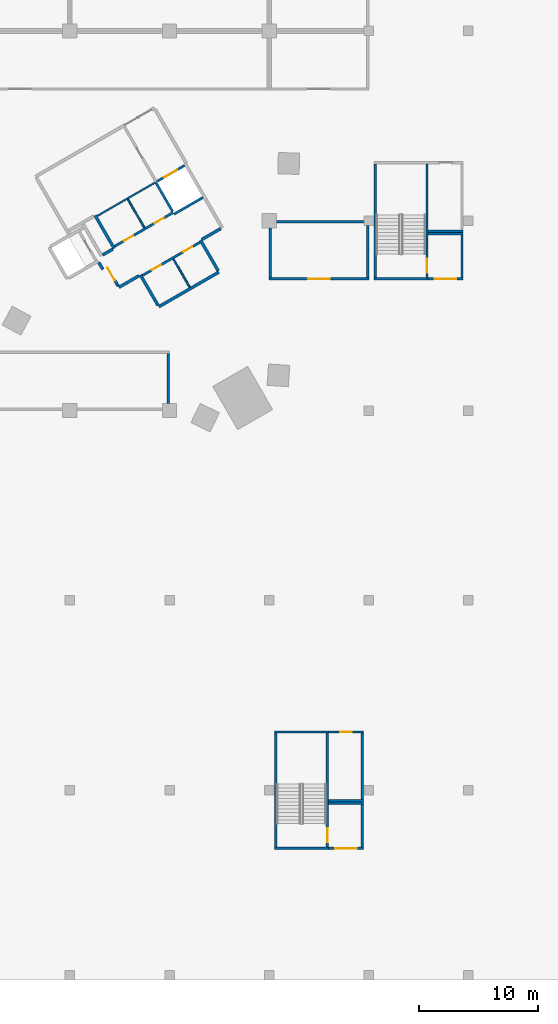
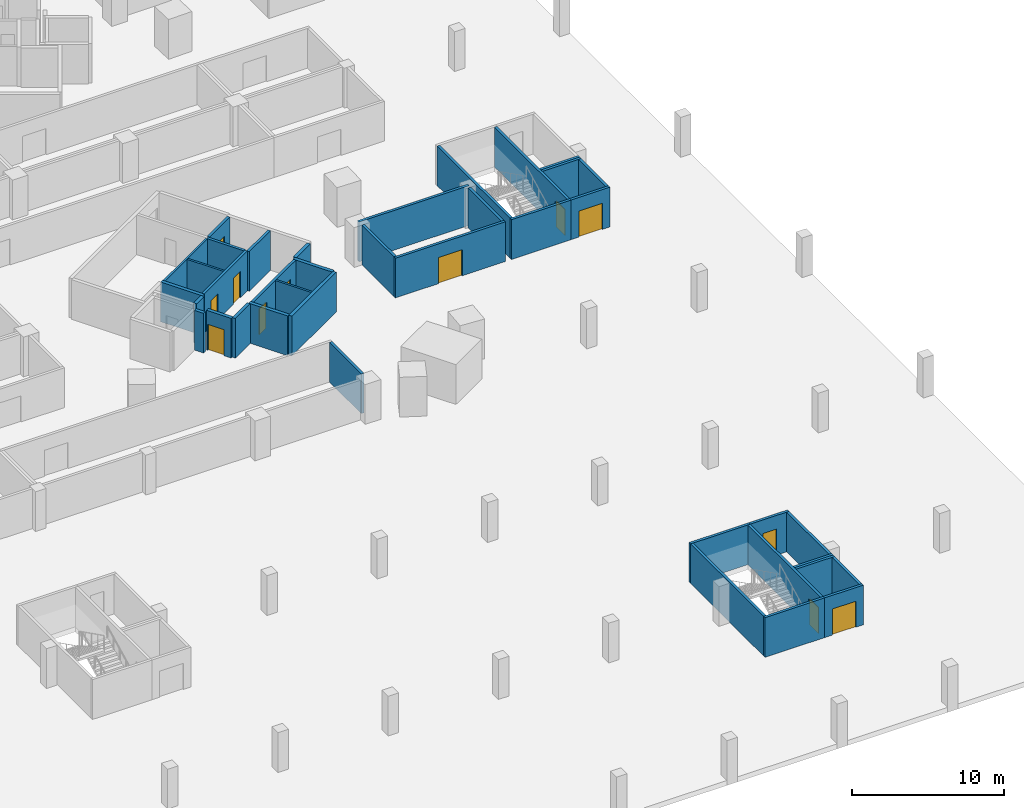
# One storey, part 12 of 37: 39 walls, 12 doors, 12 openings.
"""IFC4 building model written with IfcOpenShell, lengths in metres."""

from ifc_helpers import new_model, si_unit, direction, frame, frame_2d, origin, place, context, subcontext, project, spatial, rectangle, extrude, material, layer, layer_set, type_object, element, fill, save


model = new_model("IFC4")

# Units and contexts
model_context = context("Model", 3, precision=1e-05, world=origin(), true_north=direction((0.0, 1.0)))
body_context = subcontext(model_context, "Body", "Model", "MODEL_VIEW")
ifc_project = project(units=[si_unit("LENGTHUNIT", "METRE"), si_unit("AREAUNIT", "SQUARE_METRE"), si_unit("VOLUMEUNIT", "CUBIC_METRE"), si_unit("PLANEANGLEUNIT", "RADIAN"), si_unit("MASSUNIT", "GRAM", prefix="KILO")], contexts=[model_context])

# Site, building, storey
site_placement = place(None, origin())
site = spatial("IfcSite", under=ifc_project, at=site_placement, CompositionType="ELEMENT")
building_placement = place(site_placement, origin())
building = spatial("IfcBuilding", under=site, at=building_placement, Name="Tamra Quay Hotel Tower", CompositionType="ELEMENT")
storey_placement = place(building_placement, frame((0.0, 0.0, -7.199951171875)))
storey = spatial("IfcBuildingStorey", under=building, at=storey_placement, Name="B2", CompositionType="ELEMENT", Elevation=-7.199951171875)

# Wall
ifc_material_1 = material(Name="Blockwork", Category="masonry")
ifc_layer_1 = layer(ifc_material_1, 0.199951171875)
ifc_layer_set_1 = layer_set([ifc_layer_1], Name="Car park room wall 200")
wall_type_1 = type_object("IfcWallType", Name="Car park room wall 200", PredefinedType="PARTITIONING", material=ifc_layer_set_1)
wall_1_placement = place(storey_placement, frame((11.60009765625, -31.39990234375, 0.0), z_axis=(0.0, 0.0, 1.0), x_axis=(0.0, 1.0, 0.0)))
element("IfcWall", 1, at=wall_1_placement, inside=storey, type_object=wall_type_1, Name="PW", PredefinedType="PARTITIONING", context=body_context, shape_type="SweptSolid", body=[
    extrude(rectangle(XDim=4.199951171875, YDim=0.199951171875, at=frame_2d((2.10009765625, 0.0))), origin(), (0.0, 0.0, 1.0), 3.199951171875),
])

# Wall, opening, door
wall_2_placement = place(storey_placement, frame((20.10009765625, -20.89990234375, 0.0), z_axis=(0.0, 0.0, 1.0), x_axis=(1.0, 0.0, 0.0)))
wall_2 = element("IfcWall", 2, at=wall_2_placement, inside=storey, type_object=wall_type_1, Name="PW", PredefinedType="PARTITIONING", context=body_context, shape_type="SweptSolid", body=[
    extrude(rectangle(XDim=8.39990234375, YDim=0.199951171875, at=frame_2d((4.199951171875, 0.0))), origin(), (0.0, 0.0, 1.0), 3.199951171875),
])
opening_1_placement = place(wall_2_placement, frame((3.300048828125, 0.0, 0.0)))
opening_1 = element("IfcOpeningElement", 3, at=opening_1_placement, cuts=wall_2, Name="Opening PD2", PredefinedType="OPENING", context=body_context, shape_type="SweptSolid", body=[
    extrude(rectangle(XDim=1.800048828125, YDim=2.10009765625, at=frame_2d((0.89990234375, 1.050048828125))), frame((0.0, 0.10986328125, 0.0), z_axis=(0.0, -1.0, 0.0), x_axis=(1.0, 0.0, 0.0)), (0.0, 0.0, 1.0), 0.219970703125),
])
ifc_material_2 = material(Name="Plant door 1800 x 2100")
door_type_1 = type_object("IfcDoorType", Name="Plant door 1800 x 2100", OperationType="DOUBLE_DOOR_SINGLE_SWING", PredefinedType="DOOR", material=ifc_material_2)
door_1_placement = place(opening_1_placement, origin())
door_1 = element("IfcDoor", 4, at=door_1_placement, inside=storey, type_object=door_type_1, Name="PD2", OperationType="DOUBLE_DOOR_SINGLE_SWING", OverallHeight=2.10009765625, OverallWidth=1.800048828125, PredefinedType="DOOR", context=body_context, shape_type="SweptSolid", body=[
    extrude(rectangle(XDim=1.800048828125, YDim=2.10009765625, at=frame_2d((0.89990234375, 1.050048828125))), frame((0.0, 0.02490234375, 0.0), z_axis=(0.0, -1.0, 0.0), x_axis=(1.0, 0.0, 0.0)), (0.0, 0.0, 1.0), 0.050048828125),
])
fill(opening_1, door_1)

# Walls
wall_3_placement = place(storey_placement, frame((20.10009765625, -16.10009765625, 0.0), z_axis=(0.0, 0.0, 1.0), x_axis=(1.0, 0.0, 0.0)))
element("IfcWall", 5, at=wall_3_placement, inside=storey, type_object=wall_type_1, Name="PW", PredefinedType="PARTITIONING", context=body_context, shape_type="SweptSolid", body=[
    extrude(rectangle(XDim=8.39990234375, YDim=0.199951171875, at=frame_2d((4.199951171875, 0.0))), origin(), (0.0, 0.0, 1.0), 3.199951171875),
])
wall_4_placement = place(storey_placement, frame((20.199951171875, -20.800048828125, 0.0), z_axis=(0.0, 0.0, 1.0), x_axis=(0.0, 1.0, 0.0)))
element("IfcWall", 6, at=wall_4_placement, inside=storey, type_object=wall_type_1, Name="PW", PredefinedType="PARTITIONING", context=body_context, shape_type="SweptSolid", body=[
    extrude(rectangle(XDim=4.199951171875, YDim=0.199951171875, at=frame_2d((2.10009765625, 0.0))), origin(), (0.0, 0.0, 1.0), 3.199951171875),
])
wall_5_placement = place(storey_placement, frame((28.39990234375, -20.800048828125, 0.0), z_axis=(0.0, 0.0, 1.0), x_axis=(0.0, 1.0, 0.0)))
element("IfcWall", 7, at=wall_5_placement, inside=storey, type_object=wall_type_1, Name="PW", PredefinedType="PARTITIONING", context=body_context, shape_type="SweptSolid", body=[
    extrude(rectangle(XDim=4.400146484375, YDim=0.199951171875, at=frame_2d((2.2001953125, 0.0))), origin(), (0.0, 0.0, 1.0), 3.199951171875),
])

# Wall, opening, door
wall_6_placement = place(storey_placement, frame((25.10009765625, -68.89990234375, 0.0), z_axis=(0.0, 0.0, 1.0), x_axis=(1.0, 0.0, 0.0)))
wall_6 = element("IfcWall", 8, at=wall_6_placement, inside=storey, type_object=wall_type_1, Name="PW", PredefinedType="PARTITIONING", context=body_context, shape_type="SweptSolid", body=[
    extrude(rectangle(XDim=2.949951171875, YDim=0.199951171875, at=frame_2d((1.47509765625, 0.0))), origin(), (0.0, 0.0, 1.0), 3.199951171875),
])
opening_2_placement = place(wall_6_placement, frame((0.574951171875, 0.0, 0.0)))
opening_2 = element("IfcOpeningElement", 9, at=opening_2_placement, cuts=wall_6, Name="Opening PD2", PredefinedType="OPENING", context=body_context, shape_type="SweptSolid", body=[
    extrude(rectangle(XDim=1.800048828125, YDim=2.10009765625, at=frame_2d((0.89990234375, 1.050048828125))), frame((0.0, 0.10986328125, 0.0), z_axis=(0.0, -1.0, 0.0), x_axis=(1.0, 0.0, 0.0)), (0.0, 0.0, 1.0), 0.219970703125),
])
door_2_placement = place(opening_2_placement, origin())
door_2 = element("IfcDoor", 10, at=door_2_placement, inside=storey, type_object=door_type_1, Name="PD2", OperationType="DOUBLE_DOOR_SINGLE_SWING", OverallHeight=2.10009765625, OverallWidth=1.800048828125, PredefinedType="DOOR", context=body_context, shape_type="SweptSolid", body=[
    extrude(rectangle(XDim=1.800048828125, YDim=2.10009765625, at=frame_2d((0.89990234375, 1.050048828125))), frame((0.0, 0.02490234375, 0.0), z_axis=(0.0, -1.0, 0.0), x_axis=(1.0, 0.0, 0.0)), (0.0, 0.0, 1.0), 0.050048828125),
])
fill(opening_2, door_2)

# Walls
wall_7_placement = place(storey_placement, frame((25.10009765625, -65.10009765625, 0.0), z_axis=(0.0, 0.0, 1.0), x_axis=(1.0, 0.0, 0.0)))
element("IfcWall", 11, at=wall_7_placement, inside=storey, type_object=wall_type_1, Name="PW", PredefinedType="PARTITIONING", context=body_context, shape_type="SweptSolid", body=[
    extrude(rectangle(XDim=2.949951171875, YDim=0.199951171875, at=frame_2d((1.47509765625, 0.0))), origin(), (0.0, 0.0, 1.0), 3.199951171875),
])
wall_8_placement = place(storey_placement, frame((27.949951171875, -68.800048828125, 0.0), z_axis=(0.0, 0.0, 1.0), x_axis=(0.0, 1.0, 0.0)))
element("IfcWall", 12, at=wall_8_placement, inside=storey, type_object=wall_type_1, Name="PW", PredefinedType="PARTITIONING", context=body_context, shape_type="SweptSolid", body=[
    extrude(rectangle(XDim=3.60009765625, YDim=0.199951171875, at=frame_2d((1.800048828125, 0.0))), origin(), (0.0, 0.0, 1.0), 3.199951171875),
])
wall_9_placement = place(storey_placement, frame((25.10009765625, -64.89990234375, 0.0), z_axis=(0.0, 0.0, 1.0), x_axis=(1.0, 0.0, 0.0)))
element("IfcWall", 13, at=wall_9_placement, inside=storey, type_object=wall_type_1, Name="PW", PredefinedType="PARTITIONING", context=body_context, shape_type="SweptSolid", body=[
    extrude(rectangle(XDim=2.949951171875, YDim=0.199951171875, at=frame_2d((1.47509765625, 0.0))), origin(), (0.0, 0.0, 1.0), 3.199951171875),
])

# Wall, opening, door
wall_10_placement = place(storey_placement, frame((25.10009765625, -59.10009765625, 0.0), z_axis=(0.0, 0.0, 1.0), x_axis=(1.0, 0.0, 0.0)))
wall_10 = element("IfcWall", 14, at=wall_10_placement, inside=storey, type_object=wall_type_1, Name="PW", PredefinedType="PARTITIONING", context=body_context, shape_type="SweptSolid", body=[
    extrude(rectangle(XDim=2.949951171875, YDim=0.199951171875, at=frame_2d((1.47509765625, 0.0))), origin(), (0.0, 0.0, 1.0), 3.199951171875),
])
opening_3_placement = place(wall_10_placement, frame((0.97509765625, 0.0, 0.0)))
opening_3 = element("IfcOpeningElement", 15, at=opening_3_placement, cuts=wall_10, Name="Opening PD1", PredefinedType="OPENING", context=body_context, shape_type="SweptSolid", body=[
    extrude(rectangle(XDim=1.0, YDim=2.10009765625, at=frame_2d((0.5, 1.050048828125))), frame((0.0, 0.10986328125, 0.0), z_axis=(0.0, -1.0, 0.0), x_axis=(1.0, 0.0, 0.0)), (0.0, 0.0, 1.0), 0.219970703125),
])
ifc_material_3 = material(Name="Car park door 1000 x 2100")
door_type_2 = type_object("IfcDoorType", Name="Car park door 1000 x 2100", OperationType="NOTDEFINED", PredefinedType="DOOR", material=ifc_material_3)
door_3_placement = place(opening_3_placement, origin())
door_3 = element("IfcDoor", 16, at=door_3_placement, inside=storey, type_object=door_type_2, Name="PD1", OperationType="SINGLE_SWING_LEFT", OverallHeight=2.10009765625, OverallWidth=1.0, PredefinedType="DOOR", context=body_context, shape_type="SweptSolid", body=[
    extrude(rectangle(XDim=1.0, YDim=2.10009765625, at=frame_2d((0.5, 1.050048828125))), frame((0.0, 0.02490234375, 0.0), z_axis=(0.0, -1.0, 0.0), x_axis=(1.0, 0.0, 0.0)), (0.0, 0.0, 1.0), 0.050048828125),
])
fill(opening_3, door_3)

# Wall
wall_11_placement = place(storey_placement, frame((27.949951171875, -64.800048828125, 0.0), z_axis=(0.0, 0.0, 1.0), x_axis=(0.0, 1.0, 0.0)))
element("IfcWall", 17, at=wall_11_placement, inside=storey, type_object=wall_type_1, Name="PW", PredefinedType="PARTITIONING", context=body_context, shape_type="SweptSolid", body=[
    extrude(rectangle(XDim=5.60009765625, YDim=0.199951171875, at=frame_2d((2.800048828125, 0.0))), origin(), (0.0, 0.0, 1.0), 3.199951171875),
])

# Wall, opening, door
wall_12_placement = place(storey_placement, frame((33.5, -20.89990234375, 0.0), z_axis=(0.0, 0.0, 1.0), x_axis=(1.0, 0.0, 0.0)))
wall_12 = element("IfcWall", 18, at=wall_12_placement, inside=storey, type_object=wall_type_1, Name="PW", PredefinedType="PARTITIONING", context=body_context, shape_type="SweptSolid", body=[
    extrude(rectangle(XDim=2.949951171875, YDim=0.199951171875, at=frame_2d((1.47509765625, 0.0))), origin(), (0.0, 0.0, 1.0), 3.199951171875),
])
opening_4_placement = place(wall_12_placement, frame((0.574951171875, 0.0, 0.0)))
opening_4 = element("IfcOpeningElement", 19, at=opening_4_placement, cuts=wall_12, Name="Opening PD2", PredefinedType="OPENING", context=body_context, shape_type="SweptSolid", body=[
    extrude(rectangle(XDim=1.800048828125, YDim=2.10009765625, at=frame_2d((0.89990234375, 1.050048828125))), frame((0.0, 0.10986328125, 0.0), z_axis=(0.0, -1.0, 0.0), x_axis=(1.0, 0.0, 0.0)), (0.0, 0.0, 1.0), 0.219970703125),
])
door_4_placement = place(opening_4_placement, origin())
door_4 = element("IfcDoor", 20, at=door_4_placement, inside=storey, type_object=door_type_1, Name="PD2", OperationType="DOUBLE_DOOR_SINGLE_SWING", OverallHeight=2.10009765625, OverallWidth=1.800048828125, PredefinedType="DOOR", context=body_context, shape_type="SweptSolid", body=[
    extrude(rectangle(XDim=1.800048828125, YDim=2.10009765625, at=frame_2d((0.89990234375, 1.050048828125))), frame((0.0, 0.02490234375, 0.0), z_axis=(0.0, -1.0, 0.0), x_axis=(1.0, 0.0, 0.0)), (0.0, 0.0, 1.0), 0.050048828125),
])
fill(opening_4, door_4)

# Walls
wall_13_placement = place(storey_placement, frame((33.5, -17.10009765625, 0.0), z_axis=(0.0, 0.0, 1.0), x_axis=(1.0, 0.0, 0.0)))
element("IfcWall", 21, at=wall_13_placement, inside=storey, type_object=wall_type_1, Name="PW", PredefinedType="PARTITIONING", context=body_context, shape_type="SweptSolid", body=[
    extrude(rectangle(XDim=2.949951171875, YDim=0.199951171875, at=frame_2d((1.47509765625, 0.0))), origin(), (0.0, 0.0, 1.0), 3.199951171875),
])
wall_14_placement = place(storey_placement, frame((36.35009765625, -20.800048828125, 0.0), z_axis=(0.0, 0.0, 1.0), x_axis=(0.0, 1.0, 0.0)))
element("IfcWall", 22, at=wall_14_placement, inside=storey, type_object=wall_type_1, Name="PW", PredefinedType="PARTITIONING", context=body_context, shape_type="SweptSolid", body=[
    extrude(rectangle(XDim=3.60009765625, YDim=0.199951171875, at=frame_2d((1.800048828125, 0.0))), origin(), (0.0, 0.0, 1.0), 3.199951171875),
])
wall_15_placement = place(storey_placement, frame((33.5, -16.89990234375, 0.0), z_axis=(0.0, 0.0, 1.0), x_axis=(1.0, 0.0, 0.0)))
element("IfcWall", 23, at=wall_15_placement, inside=storey, type_object=wall_type_1, Name="PW", PredefinedType="PARTITIONING", context=body_context, shape_type="SweptSolid", body=[
    extrude(rectangle(XDim=2.949951171875, YDim=0.199951171875, at=frame_2d((1.47509765625, 0.0))), origin(), (0.0, 0.0, 1.0), 3.199951171875),
])

# Wall, openings, doors
ifc_material_4 = material(Name="Concrete M70", Category="concrete")
ifc_layer_2 = layer(ifc_material_4, 0.199951171875)
ifc_layer_set_2 = layer_set([ifc_layer_2], Name="Concrete M70 core wall 200")
wall_type_2 = type_object("IfcWallType", Name="Concrete M70 core wall 200", PredefinedType="SHEAR", material=ifc_layer_set_2)
wall_16_placement = place(storey_placement, frame((14.26806640625, -17.815185546875, 0.0), z_axis=(0.0, 0.0, 1.0), x_axis=(-0.866033794273, -0.499985466966, 0.0)))
wall_16 = element("IfcWall", 24, at=wall_16_placement, inside=storey, type_object=wall_type_2, Name="CW2", PredefinedType="SHEAR", context=body_context, shape_type="SweptSolid", body=[
    extrude(rectangle(XDim=5.597900390625, YDim=0.199951171875, at=frame_2d((2.798828125, 0.0))), origin(), (0.0, 0.0, 1.0), 3.199951171875),
])
opening_5_placement = place(wall_16_placement, frame((3.798828125, 0.0, 0.0)))
opening_5 = element("IfcOpeningElement", 25, at=opening_5_placement, cuts=wall_16, Name="Opening D2", PredefinedType="OPENING", context=body_context, shape_type="SweptSolid", body=[
    extrude(rectangle(XDim=0.89990234375, YDim=2.10009765625, at=frame_2d((0.449951171875, 1.050048828125))), frame((0.0, 0.10986328125, 0.0), z_axis=(0.0, -1.0, 0.0), x_axis=(1.0, 0.0, 0.0)), (0.0, 0.0, 1.0), 0.219970703125),
])
opening_6_placement = place(wall_16_placement, frame((0.748779296875, 0.0, 0.0)))
opening_6 = element("IfcOpeningElement", 26, at=opening_6_placement, cuts=wall_16, Name="Opening D2", PredefinedType="OPENING", context=body_context, shape_type="SweptSolid", body=[
    extrude(rectangle(XDim=0.89990234375, YDim=2.10009765625, at=frame_2d((0.449951171875, 1.050048828125))), frame((0.0, 0.10986328125, 0.0), z_axis=(0.0, -1.0, 0.0), x_axis=(1.0, 0.0, 0.0)), (0.0, 0.0, 1.0), 0.219970703125),
])
ifc_material_5 = material(Name="Core door D2 900x2100 LH")
door_type_3 = type_object("IfcDoorType", Name="Core door D2 900x2100 LH", OperationType="NOTDEFINED", PredefinedType="DOOR", material=ifc_material_5)
door_5_placement = place(opening_5_placement, origin())
door_5 = element("IfcDoor", 27, at=door_5_placement, inside=storey, type_object=door_type_3, Name="D2", OperationType="SINGLE_SWING_LEFT", OverallHeight=2.10009765625, OverallWidth=0.89990234375, PredefinedType="DOOR", context=body_context, shape_type="SweptSolid", body=[
    extrude(rectangle(XDim=0.89990234375, YDim=2.10009765625, at=frame_2d((0.449951171875, 1.050048828125))), frame((0.0, 0.02490234375, 0.0), z_axis=(0.0, -1.0, 0.0), x_axis=(1.0, 0.0, 0.0)), (0.0, 0.0, 1.0), 0.050048828125),
])
fill(opening_5, door_5)
ifc_material_6 = material(Name="Core door D2 900x2100 RH")
door_type_4 = type_object("IfcDoorType", Name="Core door D2 900x2100 RH", OperationType="NOTDEFINED", PredefinedType="DOOR", material=ifc_material_6)
door_6_placement = place(opening_6_placement, origin())
door_6 = element("IfcDoor", 28, at=door_6_placement, inside=storey, type_object=door_type_4, Name="D2", OperationType="SINGLE_SWING_RIGHT", OverallHeight=2.10009765625, OverallWidth=0.89990234375, PredefinedType="DOOR", context=body_context, shape_type="SweptSolid", body=[
    extrude(rectangle(XDim=0.89990234375, YDim=2.10009765625, at=frame_2d((0.449951171875, 1.050048828125))), frame((0.0, 0.02490234375, 0.0), z_axis=(0.0, -1.0, 0.0), x_axis=(1.0, 0.0, 0.0)), (0.0, 0.0, 1.0), 0.050048828125),
])
fill(opening_6, door_6)

wall_17_placement = place(storey_placement, frame((7.0771484375, -18.156005859375, 0.0), z_axis=(0.0, 0.0, 1.0), x_axis=(0.866038630372, 0.499977090179, 0.0)))
wall_17 = element("IfcWall", 29, at=wall_17_placement, inside=storey, type_object=wall_type_2, Name="CW2", PredefinedType="SHEAR", context=body_context, shape_type="SweptSolid", body=[
    extrude(rectangle(XDim=5.698974609375, YDim=0.199951171875, at=frame_2d((2.849609375, 0.0))), origin(), (0.0, 0.0, 1.0), 3.199951171875),
])
opening_7_placement = place(wall_17_placement, frame((0.89892578125, 0.0, 0.0)))
opening_7 = element("IfcOpeningElement", 30, at=opening_7_placement, cuts=wall_17, Name="Opening D2", PredefinedType="OPENING", context=body_context, shape_type="SweptSolid", body=[
    extrude(rectangle(XDim=0.89990234375, YDim=2.10009765625, at=frame_2d((0.449951171875, 1.050048828125))), frame((0.0, 0.10986328125, 0.0), z_axis=(0.0, -1.0, 0.0), x_axis=(1.0, 0.0, 0.0)), (0.0, 0.0, 1.0), 0.219970703125),
])
opening_8_placement = place(wall_17_placement, frame((3.8740234375, 0.0, 0.0)))
opening_8 = element("IfcOpeningElement", 31, at=opening_8_placement, cuts=wall_17, Name="Opening D2", PredefinedType="OPENING", context=body_context, shape_type="SweptSolid", body=[
    extrude(rectangle(XDim=0.89990234375, YDim=2.10009765625, at=frame_2d((0.449951171875, 1.050048828125))), frame((0.0, 0.10986328125, 0.0), z_axis=(0.0, -1.0, 0.0), x_axis=(1.0, 0.0, 0.0)), (0.0, 0.0, 1.0), 0.219970703125),
])
door_7_placement = place(opening_7_placement, origin())
door_7 = element("IfcDoor", 32, at=door_7_placement, inside=storey, type_object=door_type_3, Name="D2", OperationType="SINGLE_SWING_LEFT", OverallHeight=2.10009765625, OverallWidth=0.89990234375, PredefinedType="DOOR", context=body_context, shape_type="SweptSolid", body=[
    extrude(rectangle(XDim=0.89990234375, YDim=2.10009765625, at=frame_2d((0.449951171875, 1.050048828125))), frame((0.0, 0.02490234375, 0.0), z_axis=(0.0, -1.0, 0.0), x_axis=(1.0, 0.0, 0.0)), (0.0, 0.0, 1.0), 0.050048828125),
])
fill(opening_7, door_7)
door_8_placement = place(opening_8_placement, origin())
door_8 = element("IfcDoor", 33, at=door_8_placement, inside=storey, type_object=door_type_4, Name="D2", OperationType="SINGLE_SWING_RIGHT", OverallHeight=2.10009765625, OverallWidth=0.89990234375, PredefinedType="DOOR", context=body_context, shape_type="SweptSolid", body=[
    extrude(rectangle(XDim=0.89990234375, YDim=2.10009765625, at=frame_2d((0.449951171875, 1.050048828125))), frame((0.0, 0.02490234375, 0.0), z_axis=(0.0, -1.0, 0.0), x_axis=(1.0, 0.0, 0.0)), (0.0, 0.0, 1.0), 0.050048828125),
])
fill(opening_8, door_8)

# Wall
wall_18_placement = place(storey_placement, frame((11.962646484375, -15.219970703125, 0.0), z_axis=(0.0, 0.0, 1.0), x_axis=(-0.500036373335, 0.866004402611, 0.0)))
element("IfcWall", 34, at=wall_18_placement, inside=storey, type_object=wall_type_2, Name="CW2", PredefinedType="SHEAR", context=body_context, shape_type="SweptSolid", body=[
    extrude(rectangle(XDim=2.849853515625, YDim=0.199951171875, at=frame_2d((1.4248046875, 0.0))), origin(), (0.0, 0.0, 1.0), 3.199951171875),
])

# Wall, opening, door
wall_19_placement = place(storey_placement, frame((10.667724609375, -12.6767578125, 0.0), z_axis=(0.0, 0.0, 1.0), x_axis=(0.866016748302, 0.500014991436, 0.0)))
wall_19 = element("IfcWall", 35, at=wall_19_placement, inside=storey, type_object=wall_type_2, Name="CW2", PredefinedType="SHEAR", context=body_context, shape_type="SweptSolid", body=[
    extrude(rectangle(XDim=2.64892578125, YDim=0.199951171875, at=frame_2d((1.324462890625, 0.0))), origin(), (0.0, 0.0, 1.0), 3.199951171875),
])
opening_9_placement = place(wall_19_placement, frame((0.64990234375, 0.0, 0.0)))
opening_9 = element("IfcOpeningElement", 36, at=opening_9_placement, cuts=wall_19, Name="Opening LD", PredefinedType="OPENING", context=body_context, shape_type="SweptSolid", body=[
    extrude(rectangle(XDim=1.300048828125, YDim=2.10009765625, at=frame_2d((0.64990234375, 1.050048828125))), frame((0.0, 0.10986328125, 0.0), z_axis=(0.0, -1.0, 0.0), x_axis=(1.0, 0.0, 0.0)), (0.0, 0.0, 1.0), 0.219970703125),
])
ifc_material_7 = material(Name="Landing door LD 1300 sliding to right")
door_type_5 = type_object("IfcDoorType", Name="Landing door LD 1300 sliding to right", OperationType="NOTDEFINED", PredefinedType="DOOR", material=ifc_material_7)
door_9_placement = place(opening_9_placement, origin())
door_9 = element("IfcDoor", 37, at=door_9_placement, inside=storey, type_object=door_type_5, Name="LD", OperationType="SLIDING_TO_RIGHT", OverallHeight=2.10009765625, OverallWidth=1.300048828125, PredefinedType="DOOR", context=body_context, shape_type="SweptSolid", body=[
    extrude(rectangle(XDim=1.300048828125, YDim=2.10009765625, at=frame_2d((0.64990234375, 1.050048828125))), frame((0.0, 0.02490234375, 0.0), z_axis=(0.0, -1.0, 0.0), x_axis=(1.0, 0.0, 0.0)), (0.0, 0.0, 1.0), 0.050048828125),
])
fill(opening_9, door_9)

# Walls
wall_20_placement = place(storey_placement, frame((14.51171875, -14.037109375, 0.0), z_axis=(0.0, 0.0, 1.0), x_axis=(-0.866044696403, -0.499966582715, 0.0)))
element("IfcWall", 38, at=wall_20_placement, inside=storey, type_object=wall_type_2, Name="CW2", PredefinedType="SHEAR", context=body_context, shape_type="SweptSolid", body=[
    extrude(rectangle(XDim=2.799072265625, YDim=0.199951171875, at=frame_2d((1.3994140625, 0.0))), origin(), (0.0, 0.0, 1.0), 3.199951171875),
])
ifc_layer_3 = layer(ifc_material_4, 0.25)
ifc_layer_set_3 = layer_set([ifc_layer_3], Name="Concrete M70 core wall 250")
wall_type_3 = type_object("IfcWallType", Name="Concrete M70 core wall 250", PredefinedType="SHEAR", material=ifc_layer_set_3)
wall_21_placement = place(storey_placement, frame((15.86474609375, -20.328369140625, 0.0), z_axis=(0.0, 0.0, 1.0), x_axis=(-0.86602852612, -0.499994591916, 0.0)))
element("IfcWall", 39, at=wall_21_placement, inside=storey, type_object=wall_type_3, Name="CW1", PredefinedType="SHEAR", context=body_context, shape_type="SweptSolid", body=[
    extrude(rectangle(XDim=5.85009765625, YDim=0.25, at=frame_2d((2.925048828125, 0.0))), origin(), (0.0, 0.0, 1.0), 3.199951171875),
])
wall_22_placement = place(storey_placement, frame((7.030517578125, -18.327392578125, 0.0), z_axis=(0.0, 0.0, 1.0), x_axis=(-0.499971222258, 0.866042017984, 0.0)))
element("IfcWall", 40, at=wall_22_placement, inside=storey, type_object=wall_type_3, Name="CW1", PredefinedType="SHEAR", context=body_context, shape_type="SweptSolid", body=[
    extrude(rectangle(XDim=3.199951171875, YDim=0.25, at=frame_2d((1.60009765625, 0.0))), origin(), (0.0, 0.0, 1.0), 3.199951171875),
])
for number, where, z_axis, x_axis, name in (
    (41, (14.314697265625, -17.643798828125, 0.0), (0.0, 0.0, 1.0), (0.500023226632, -0.866011993467, 0.0), "CW1"),
    (42, (10.73583984375, -23.144775390625, 0.0), (0.0, 0.0, 1.0), (-0.500023226632, 0.866011993467, 0.0), "CW1"),
):
    element("IfcWall", number, at=place(storey_placement, frame(where, z_axis=z_axis, x_axis=x_axis)), inside=storey, type_object=wall_type_3, Name=name, PredefinedType="SHEAR", context=body_context, shape_type="SweptSolid", body=[
        extrude(rectangle(XDim=2.974365234375, YDim=0.25, at=frame_2d((1.4873046875, 0.0))), origin(), (0.0, 0.0, 1.0), 3.199951171875),
    ])
wall_23_placement = place(storey_placement, frame((9.139892578125, -20.63134765625, 0.0), z_axis=(0.0, 0.0, 1.0), x_axis=(-0.866043531843, -0.499968599967, 0.0)))
element("IfcWall", 43, at=wall_23_placement, inside=storey, type_object=wall_type_3, Name="CW1", PredefinedType="SHEAR", context=body_context, shape_type="SweptSolid", body=[
    extrude(rectangle(XDim=1.974853515625, YDim=0.25, at=frame_2d((0.9873046875, 0.0))), origin(), (0.0, 0.0, 1.0), 3.199951171875),
])
wall_24_placement = place(storey_placement, frame((16.024658203125, -16.656494140625, 0.0), z_axis=(0.0, 0.0, 1.0), x_axis=(-0.866016279763, -0.500015802937, 0.0)))
element("IfcWall", 44, at=wall_24_placement, inside=storey, type_object=wall_type_3, Name="CW1", PredefinedType="SHEAR", context=body_context, shape_type="SweptSolid", body=[
    extrude(rectangle(XDim=1.84912109375, YDim=0.25, at=frame_2d((0.924560546875, 0.0))), origin(), (0.0, 0.0, 1.0), 3.199951171875),
])

# Wall, opening, door
wall_25_placement = place(storey_placement, frame((7.3671875, -21.51025390625, 0.0), z_axis=(0.0, 0.0, 1.0), x_axis=(-0.499983108224, 0.866035156036, 0.0)))
wall_25 = element("IfcWall", 45, at=wall_25_placement, inside=storey, type_object=wall_type_3, Name="CW1", PredefinedType="SHEAR", context=body_context, shape_type="SweptSolid", body=[
    extrude(rectangle(XDim=1.86474609375, YDim=0.25, at=frame_2d((0.932373046875, 0.0))), origin(), (0.0, 0.0, 1.0), 3.199951171875),
])
opening_10_placement = place(wall_25_placement, frame((0.53466796875, 0.0, 0.0)))
opening_10 = element("IfcOpeningElement", 46, at=opening_10_placement, cuts=wall_25, Name="Opening FD3", PredefinedType="OPENING", context=body_context, shape_type="SweptSolid", body=[
    extrude(rectangle(XDim=1.25, YDim=2.10009765625, at=frame_2d((0.625, 1.050048828125))), frame((0.0, 0.135009765625, 0.0), z_axis=(0.0, -1.0, 0.0), x_axis=(1.0, 0.0, 0.0)), (0.0, 0.0, 1.0), 0.27001953125),
])
ifc_material_8 = material(Name="Core door FD3 1250x2100 LH")
door_type_6 = type_object("IfcDoorType", Name="Core door FD3 1250x2100 LH", OperationType="NOTDEFINED", PredefinedType="DOOR", material=ifc_material_8)
door_10_placement = place(opening_10_placement, origin())
door_10 = element("IfcDoor", 47, at=door_10_placement, inside=storey, type_object=door_type_6, Name="FD3", OperationType="SINGLE_SWING_LEFT", OverallHeight=2.10009765625, OverallWidth=1.25, PredefinedType="DOOR", context=body_context, shape_type="SweptSolid", body=[
    extrude(rectangle(XDim=1.25, YDim=2.10009765625, at=frame_2d((0.625, 1.050048828125))), frame((0.0, 0.02490234375, 0.0), z_axis=(0.0, -1.0, 0.0), x_axis=(1.0, 0.0, 0.0)), (0.0, 0.0, 1.0), 0.050048828125),
])
fill(opening_10, door_10)

# Walls
wall_26_placement = place(storey_placement, frame((6.0654296875, -18.884765625, 0.0), z_axis=(0.0, 0.0, 1.0), x_axis=(0.866017078145, 0.500014420154, 0.0)))
element("IfcWall", 48, at=wall_26_placement, inside=storey, type_object=wall_type_3, Name="CW1", PredefinedType="SHEAR", context=body_context, shape_type="SweptSolid", body=[
    extrude(rectangle(XDim=0.9892578125, YDim=0.25, at=frame_2d((0.49462890625, 0.0))), origin(), (0.0, 0.0, 1.0), 3.199951171875),
])
wall_27_placement = place(storey_placement, frame((6.07958984375, -20.100341796875, 0.0), z_axis=(0.0, 0.0, 1.0), x_axis=(-0.500051773299, 0.865995510393, 0.0)))
element("IfcWall", 49, at=wall_27_placement, inside=storey, type_object=wall_type_3, Name="CW1", PredefinedType="SHEAR", context=body_context, shape_type="SweptSolid", body=[
    extrude(rectangle(XDim=0.6845703125, YDim=0.25, at=frame_2d((0.34228515625, 0.0))), origin(), (0.0, 0.0, 1.0), 3.199951171875),
])
ifc_layer_4 = layer(ifc_material_4, 0.199951171875)
ifc_layer_set_4 = layer_set([ifc_layer_4], Name="Concrete M70 stair enclosure wall 200")
wall_type_4 = type_object("IfcWallType", Name="Concrete M70 stair enclosure wall 200", PredefinedType="SOLIDWALL", material=ifc_layer_set_4)
wall_28_placement = place(storey_placement, frame((20.64990234375, -68.800048828125, 0.0), z_axis=(0.0, 0.0, 1.0), x_axis=(0.0, 1.0, 0.0)))
element("IfcWall", 50, at=wall_28_placement, inside=storey, type_object=wall_type_4, Name="SEW", PredefinedType="SOLIDWALL", context=body_context, shape_type="SweptSolid", body=[
    extrude(rectangle(XDim=9.60009765625, YDim=0.199951171875, at=frame_2d((4.800048828125, 0.0))), origin(), (0.0, 0.0, 1.0), 3.199951171875),
])

# Wall, opening, door
wall_29_placement = place(storey_placement, frame((25.0, -68.800048828125, 0.0), z_axis=(0.0, 0.0, 1.0), x_axis=(0.0, 1.0, 0.0)))
wall_29 = element("IfcWall", 51, at=wall_29_placement, inside=storey, type_object=wall_type_4, Name="SEW", PredefinedType="SOLIDWALL", context=body_context, shape_type="SweptSolid", body=[
    extrude(rectangle(XDim=9.60009765625, YDim=0.199951171875, at=frame_2d((4.800048828125, 0.0))), origin(), (0.0, 0.0, 1.0), 3.199951171875),
])
opening_11_placement = place(wall_29_placement, frame((0.39990234375, 0.0, 0.0)))
opening_11 = element("IfcOpeningElement", 52, at=opening_11_placement, cuts=wall_29, Name="Opening SD1", PredefinedType="OPENING", context=body_context, shape_type="SweptSolid", body=[
    extrude(rectangle(XDim=1.199951171875, YDim=2.10009765625, at=frame_2d((0.60009765625, 1.050048828125))), frame((0.0, 0.10986328125, 0.0), z_axis=(0.0, -1.0, 0.0), x_axis=(1.0, 0.0, 0.0)), (0.0, 0.0, 1.0), 0.219970703125),
])
ifc_material_9 = material(Name="Stair door 1200 x 2100")
door_type_7 = type_object("IfcDoorType", Name="Stair door 1200 x 2100", OperationType="NOTDEFINED", PredefinedType="DOOR", material=ifc_material_9)
door_11_placement = place(opening_11_placement, origin())
door_11 = element("IfcDoor", 53, at=door_11_placement, inside=storey, type_object=door_type_7, Name="SD1", OperationType="SINGLE_SWING_LEFT", OverallHeight=2.10009765625, OverallWidth=1.199951171875, PredefinedType="DOOR", context=body_context, shape_type="SweptSolid", body=[
    extrude(rectangle(XDim=1.199951171875, YDim=2.10009765625, at=frame_2d((0.60009765625, 1.050048828125))), frame((0.0, 0.02490234375, 0.0), z_axis=(0.0, -1.0, 0.0), x_axis=(1.0, 0.0, 0.0)), (0.0, 0.0, 1.0), 0.050048828125),
])
fill(opening_11, door_11)

# Walls
for number, where, z_axis, x_axis, name in (
    (54, (25.10009765625, -68.89990234375, 0.0), (0.0, 0.0, 1.0), (-1.0, 0.0, 0.0), "SEW"),
    (55, (20.550048828125, -59.10009765625, 0.0), (0.0, 0.0, 1.0), (1.0, 0.0, 0.0), "SEW"),
):
    element("IfcWall", number, at=place(storey_placement, frame(where, z_axis=z_axis, x_axis=x_axis)), inside=storey, type_object=wall_type_4, Name=name, PredefinedType="SOLIDWALL", context=body_context, shape_type="SweptSolid", body=[
        extrude(rectangle(XDim=4.550048828125, YDim=0.199951171875, at=frame_2d((2.27490234375, 0.0))), origin(), (0.0, 0.0, 1.0), 3.199951171875),
    ])
wall_30_placement = place(storey_placement, frame((29.050048828125, -20.800048828125, 0.0), z_axis=(0.0, 0.0, 1.0), x_axis=(0.0, 1.0, 0.0)))
element("IfcWall", 56, at=wall_30_placement, inside=storey, type_object=wall_type_4, Name="SEW", PredefinedType="SOLIDWALL", context=body_context, shape_type="SweptSolid", body=[
    extrude(rectangle(XDim=9.60009765625, YDim=0.199951171875, at=frame_2d((4.800048828125, 0.0))), origin(), (0.0, 0.0, 1.0), 3.199951171875),
])

# Wall, opening, door
wall_31_placement = place(storey_placement, frame((33.39990234375, -20.800048828125, 0.0), z_axis=(0.0, 0.0, 1.0), x_axis=(0.0, 1.0, 0.0)))
wall_31 = element("IfcWall", 57, at=wall_31_placement, inside=storey, type_object=wall_type_4, Name="SEW", PredefinedType="SOLIDWALL", context=body_context, shape_type="SweptSolid", body=[
    extrude(rectangle(XDim=9.60009765625, YDim=0.199951171875, at=frame_2d((4.800048828125, 0.0))), origin(), (0.0, 0.0, 1.0), 3.199951171875),
])
opening_12_placement = place(wall_31_placement, frame((0.39990234375, 0.0, 0.0)))
opening_12 = element("IfcOpeningElement", 58, at=opening_12_placement, cuts=wall_31, Name="Opening SD1", PredefinedType="OPENING", context=body_context, shape_type="SweptSolid", body=[
    extrude(rectangle(XDim=1.199951171875, YDim=2.10009765625, at=frame_2d((0.60009765625, 1.050048828125))), frame((0.0, 0.10986328125, 0.0), z_axis=(0.0, -1.0, 0.0), x_axis=(1.0, 0.0, 0.0)), (0.0, 0.0, 1.0), 0.219970703125),
])
door_12_placement = place(opening_12_placement, origin())
door_12 = element("IfcDoor", 59, at=door_12_placement, inside=storey, type_object=door_type_7, Name="SD1", OperationType="SINGLE_SWING_LEFT", OverallHeight=2.10009765625, OverallWidth=1.199951171875, PredefinedType="DOOR", context=body_context, shape_type="SweptSolid", body=[
    extrude(rectangle(XDim=1.199951171875, YDim=2.10009765625, at=frame_2d((0.60009765625, 1.050048828125))), frame((0.0, 0.02490234375, 0.0), z_axis=(0.0, -1.0, 0.0), x_axis=(1.0, 0.0, 0.0)), (0.0, 0.0, 1.0), 0.050048828125),
])
fill(opening_12, door_12)

# Walls
wall_32_placement = place(storey_placement, frame((33.5, -20.89990234375, 0.0), z_axis=(0.0, 0.0, 1.0), x_axis=(-1.0, 0.0, 0.0)))
element("IfcWall", 60, at=wall_32_placement, inside=storey, type_object=wall_type_4, Name="SEW", PredefinedType="SOLIDWALL", context=body_context, shape_type="SweptSolid", body=[
    extrude(rectangle(XDim=4.550048828125, YDim=0.199951171875, at=frame_2d((2.27490234375, 0.0))), origin(), (0.0, 0.0, 1.0), 3.199951171875),
])
ifc_layer_5 = layer(ifc_material_1, 0.14990234375)
ifc_layer_set_5 = layer_set([ifc_layer_5], Name="Core partition block 150")
wall_type_5 = type_object("IfcWallType", Name="Core partition block 150", PredefinedType="PARTITIONING", material=ifc_layer_set_5)
wall_33_placement = place(storey_placement, frame((10.45166015625, -12.801513671875, 0.0), z_axis=(0.0, 0.0, 1.0), x_axis=(-0.866015695474, -0.500016814911, 0.0)))
element("IfcWall", 61, at=wall_33_placement, inside=storey, type_object=wall_type_5, Name="CP1", PredefinedType="PARTITIONING", context=body_context, shape_type="SweptSolid", body=[
    extrude(rectangle(XDim=5.599853515625, YDim=0.14990234375, at=frame_2d((2.7998046875, 0.0))), origin(), (0.0, 0.0, 1.0), 3.199951171875),
])
wall_34_placement = place(storey_placement, frame((12.0244140625, -19.226806640625, 0.0), z_axis=(0.0, 0.0, 1.0), x_axis=(0.499988999718, -0.866031754707, 0.0)))
element("IfcWall", 62, at=wall_34_placement, inside=storey, type_object=wall_type_5, Name="CP1", PredefinedType="PARTITIONING", context=body_context, shape_type="SweptSolid", body=[
    extrude(rectangle(XDim=2.74853515625, YDim=0.14990234375, at=frame_2d((1.374267578125, 0.0))), origin(), (0.0, 0.0, 1.0), 3.199951171875),
])
wall_35_placement = place(storey_placement, frame((8.194091796875, -14.1923828125, 0.0), z_axis=(0.0, 0.0, 1.0), x_axis=(0.500001852011, -0.866024334523, 0.0)))
element("IfcWall", 63, at=wall_35_placement, inside=storey, type_object=wall_type_5, Name="CP1", PredefinedType="PARTITIONING", context=body_context, shape_type="SweptSolid", body=[
    extrude(rectangle(XDim=2.7734375, YDim=0.14990234375, at=frame_2d((1.38671875, 0.0))), origin(), (0.0, 0.0, 1.0), 3.199951171875),
])

save(model, "model.ifc")
